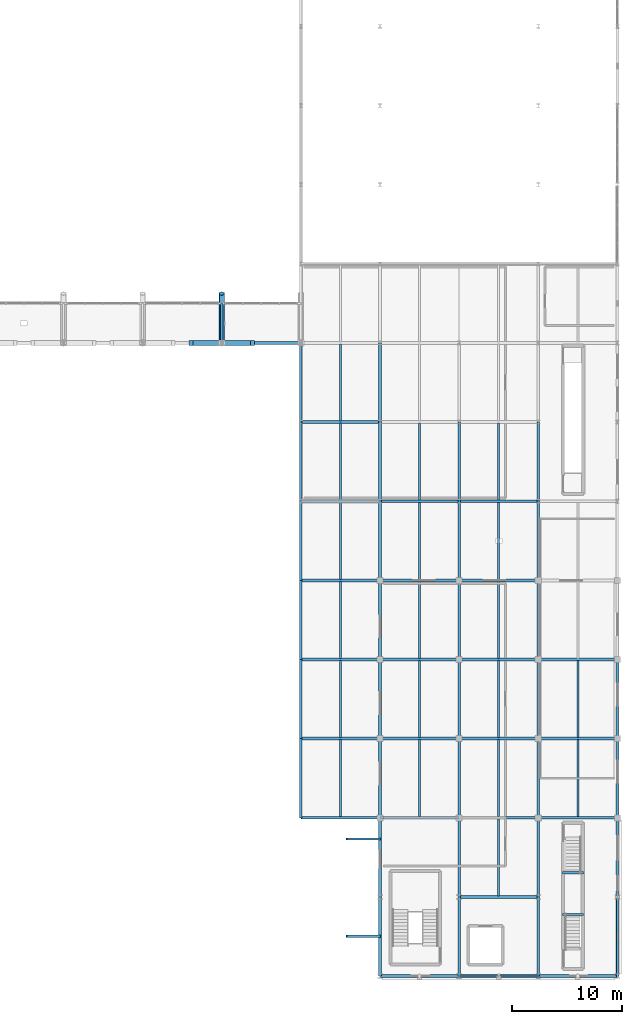
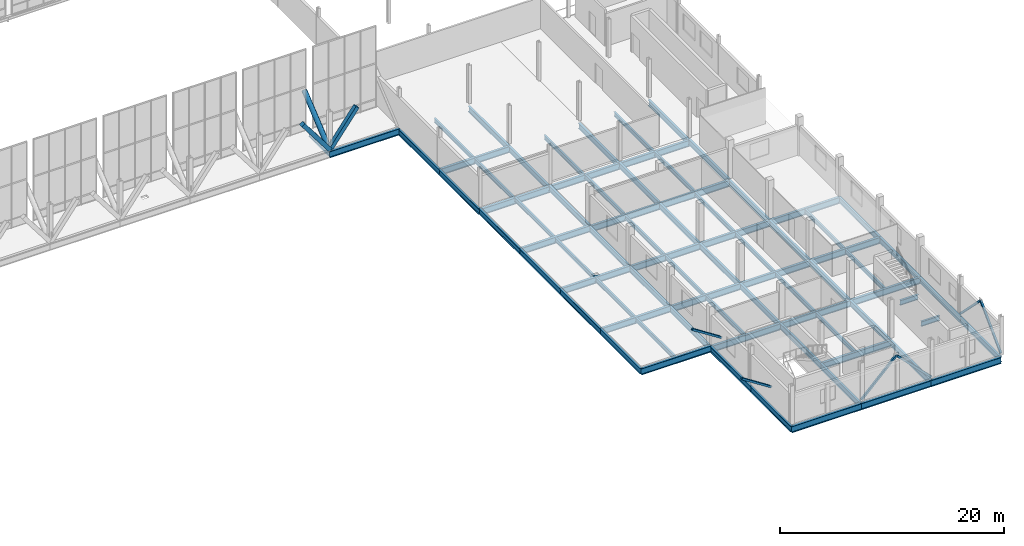
# One storey, part 52 of 102: 78 beams, 9 members.
"""IFC4 building model written with IfcOpenShell, lengths in metres."""

from ifc_helpers import new_model, si_unit, direction, frame, origin, origin_2d, place, context, subcontext, project, spatial, rectangle, hollow_rectangle, hollow_circle, i_section, extrude, material, material_profile, profile_set, type_object, element, save


model = new_model("IFC4")

# Units and contexts
model_context = context("Model", 3, precision=1e-05, world=origin(), true_north=direction((0.0, 1.0)))
body_context = subcontext(model_context, "Body", "Model", "MODEL_VIEW")
ifc_project = project(units=[si_unit("LENGTHUNIT", "METRE"), si_unit("AREAUNIT", "SQUARE_METRE"), si_unit("VOLUMEUNIT", "CUBIC_METRE"), si_unit("PLANEANGLEUNIT", "RADIAN"), si_unit("MASSUNIT", "GRAM", prefix="KILO")], contexts=[model_context])

# Site, building, storey
site_placement = place(None, origin())
site = spatial("IfcSite", under=ifc_project, at=site_placement, CompositionType="ELEMENT")
building_placement = place(site_placement, origin())
building = spatial("IfcBuilding", under=site, at=building_placement, Name="Yarey Park Central Fire Station", CompositionType="ELEMENT")
storey_placement = place(building_placement, frame((0.0, 0.0, 6.0)))
storey = spatial("IfcBuildingStorey", under=building, at=storey_placement, Name="L02", CompositionType="ELEMENT", Elevation=6.0)

# Beams
ifc_material_1 = material(Name="Steel ASTM A992 Gr. 50", Category="steel")
ifc_material_profile_1 = material_profile(ifc_material_1, i_section(OverallWidth=0.208984375, OverallDepth=0.532958984375, WebThickness=0.01025390625, FlangeThickness=0.015625, at=origin_2d()), Name="W530x92")
ifc_profile_set_1 = profile_set([ifc_material_profile_1], Name="Steel ASTM A992 Gr. 50")
beam_type_1 = type_object("IfcBeamType", Name="STR_BM_W530", PredefinedType="BEAM", material=ifc_profile_set_1)
beam_1_placement = place(storey_placement, frame((129.60009765625, 57.60009765625, -0.46142578125), z_axis=(0.0, 1.0, 0.0), x_axis=(-1.0, 0.0, 0.0)))
element("IfcBeam", 1, at=beam_1_placement, inside=storey, type_object=beam_type_1, Name="EAVE RIB S 10", PredefinedType="BEAM", context=body_context, shape_type="SweptSolid", body=[
    extrude(i_section(OverallWidth=0.208984375, OverallDepth=0.532958984375, WebThickness=0.01025390625, FlangeThickness=0.015625, at=origin_2d()), origin(), (0.0, 0.0, 1.0), 3.599853515625),
])
for number, where, z_axis, x_axis, name in (
    (2, (160.60009765625, 5.60009765625, 1.6484375), (1.0, 0.0, 0.0), (0.0, 1.0, 0.0), "BM_LND_C6_L02_S"),
    (3, (160.60009765625, 9.39990234375, 1.6484375), (1.0, 0.0, 0.0), (0.0, 1.0, 0.0), "BM_LND_C6_L02_N"),
):
    element("IfcBeam", number, at=place(storey_placement, frame(where, z_axis=z_axis, x_axis=x_axis)), inside=storey, type_object=beam_type_1, Name=name, PredefinedType="BEAM", context=body_context, shape_type="SweptSolid", body=[
        extrude(i_section(OverallWidth=0.208984375, OverallDepth=0.532958984375, WebThickness=0.01025390625, FlangeThickness=0.015625, at=origin_2d()), origin(), (0.0, 0.0, 1.0), 1.89990234375),
    ])
ifc_material_profile_2 = material_profile(ifc_material_1, i_section(OverallWidth=0.22900390625, OverallDepth=0.612060546875, WebThickness=0.011962890625, FlangeThickness=0.01953125, at=origin_2d()), Name="W610x125")
ifc_profile_set_2 = profile_set([ifc_material_profile_2], Name="Steel ASTM A992 Gr. 50")
beam_type_2 = type_object("IfcBeamType", Name="STR_BM_W610", PredefinedType="BEAM", material=ifc_profile_set_2)
beam_2_placement = place(storey_placement, frame((136.800048828125, 14.39990234375, -0.5009765625), z_axis=(0.0, 1.0, 0.0), x_axis=(-1.0, 0.0, 0.0)))
element("IfcBeam", 4, at=beam_2_placement, inside=storey, type_object=beam_type_2, Name="BMY L02 X1368 Y144", PredefinedType="BEAM", context=body_context, shape_type="SweptSolid", body=[
    extrude(i_section(OverallWidth=0.22900390625, OverallDepth=0.612060546875, WebThickness=0.011962890625, FlangeThickness=0.01953125, at=origin_2d()), origin(), (0.0, 0.0, 1.0), 7.2001953125),
])
for number, where, z_axis, x_axis, name in (
    (5, (136.800048828125, 21.60009765625, -0.5009765625), (0.0, 1.0, 0.0), (-1.0, 0.0, 0.0), "BMY L02 X1368 Y216"),
    (6, (136.800048828125, 28.800048828125, -0.5009765625), (0.0, 1.0, 0.0), (-1.0, 0.0, 0.0), "BMY L02 X1368 Y288"),
    (7, (136.800048828125, 36.0, -0.5009765625), (0.0, 1.0, 0.0), (-1.0, 0.0, 0.0), "BMY L02 X1368 Y360"),
    (8, (136.800048828125, 43.199951171875, -0.591064453125), (0.0, 1.0, 0.0), (-1.0, 0.0, 0.0), "BMY L02 X1368 Y432"),
):
    element("IfcBeam", number, at=place(storey_placement, frame(where, z_axis=z_axis, x_axis=x_axis)), inside=storey, type_object=beam_type_2, Name=name, PredefinedType="BEAM", context=body_context, shape_type="SweptSolid", body=[
        extrude(i_section(OverallWidth=0.22900390625, OverallDepth=0.612060546875, WebThickness=0.011962890625, FlangeThickness=0.01953125, at=origin_2d()), origin(), (0.0, 0.0, 1.0), 7.199951171875),
    ])
beam_3_placement = place(storey_placement, frame((136.800048828125, 50.39990234375, -0.591064453125), z_axis=(0.0, 1.0, 0.0), x_axis=(-1.0, 0.0, 0.0)))
element("IfcBeam", 9, at=beam_3_placement, inside=storey, type_object=beam_type_2, Name="BMY L02 X1368 Y504", PredefinedType="BEAM", context=body_context, shape_type="SweptSolid", body=[
    extrude(i_section(OverallWidth=0.22900390625, OverallDepth=0.612060546875, WebThickness=0.011962890625, FlangeThickness=0.01953125, at=origin_2d()), origin(), (0.0, 0.0, 1.0), 7.2001953125),
])
for number, where, z_axis, x_axis, name in (
    (10, (144.0, 0.0, -0.591064453125), (0.0, 1.0, 0.0), (-1.0, 0.0, 0.0), "BMY L02 X1440 Y0"),
    (11, (144.0, 7.199951171875, -0.591064453125), (0.0, 1.0, 0.0), (-1.0, 0.0, 0.0), "BMY L02 X1440 Y72"),
):
    element("IfcBeam", number, at=place(storey_placement, frame(where, z_axis=z_axis, x_axis=x_axis)), inside=storey, type_object=beam_type_2, Name=name, PredefinedType="BEAM", context=body_context, shape_type="SweptSolid", body=[
        extrude(i_section(OverallWidth=0.22900390625, OverallDepth=0.612060546875, WebThickness=0.011962890625, FlangeThickness=0.01953125, at=origin_2d()), origin(), (0.0, 0.0, 1.0), 7.199951171875),
    ])
beam_4_placement = place(storey_placement, frame((144.0, 14.39990234375, -0.591064453125), z_axis=(0.0, 1.0, 0.0), x_axis=(-1.0, 0.0, 0.0)))
element("IfcBeam", 12, at=beam_4_placement, inside=storey, type_object=beam_type_2, Name="BMY L02 X1440 Y144", PredefinedType="BEAM", context=body_context, shape_type="SweptSolid", body=[
    extrude(i_section(OverallWidth=0.22900390625, OverallDepth=0.612060546875, WebThickness=0.011962890625, FlangeThickness=0.01953125, at=origin_2d()), origin(), (0.0, 0.0, 1.0), 7.2001953125),
])
for number, where, z_axis, x_axis, name in (
    (13, (144.0, 21.60009765625, -0.591064453125), (0.0, 1.0, 0.0), (-1.0, 0.0, 0.0), "BMY L02 X1440 Y216"),
    (14, (144.0, 28.800048828125, -0.591064453125), (0.0, 1.0, 0.0), (-1.0, 0.0, 0.0), "BMY L02 X1440 Y288"),
    (15, (144.0, 36.0, -0.5009765625), (0.0, 1.0, 0.0), (-1.0, 0.0, 0.0), "BMY L02 X1440 Y360"),
    (16, (144.0, 43.199951171875, -0.591064453125), (0.0, 1.0, 0.0), (-1.0, 0.0, 0.0), "BMY L02 X1440 Y432"),
):
    element("IfcBeam", number, at=place(storey_placement, frame(where, z_axis=z_axis, x_axis=x_axis)), inside=storey, type_object=beam_type_2, Name=name, PredefinedType="BEAM", context=body_context, shape_type="SweptSolid", body=[
        extrude(i_section(OverallWidth=0.22900390625, OverallDepth=0.612060546875, WebThickness=0.011962890625, FlangeThickness=0.01953125, at=origin_2d()), origin(), (0.0, 0.0, 1.0), 7.199951171875),
    ])
beam_5_placement = place(storey_placement, frame((144.0, 50.39990234375, -0.591064453125), z_axis=(0.0, 1.0, 0.0), x_axis=(-1.0, 0.0, 0.0)))
element("IfcBeam", 17, at=beam_5_placement, inside=storey, type_object=beam_type_2, Name="BMY L02 X1440 Y504", PredefinedType="BEAM", context=body_context, shape_type="SweptSolid", body=[
    extrude(i_section(OverallWidth=0.22900390625, OverallDepth=0.612060546875, WebThickness=0.011962890625, FlangeThickness=0.01953125, at=origin_2d()), origin(), (0.0, 0.0, 1.0), 7.2001953125),
])
for number, where, z_axis, x_axis, name in (
    (18, (151.199951171875, 0.0, -0.591064453125), (0.0, 1.0, 0.0), (-1.0, 0.0, 0.0), "BMY L02 X1512 Y0"),
    (19, (151.199951171875, 7.199951171875, -0.591064453125), (0.0, 1.0, 0.0), (-1.0, 0.0, 0.0), "BMY L02 X1512 Y72"),
):
    element("IfcBeam", number, at=place(storey_placement, frame(where, z_axis=z_axis, x_axis=x_axis)), inside=storey, type_object=beam_type_2, Name=name, PredefinedType="BEAM", context=body_context, shape_type="SweptSolid", body=[
        extrude(i_section(OverallWidth=0.22900390625, OverallDepth=0.612060546875, WebThickness=0.011962890625, FlangeThickness=0.01953125, at=origin_2d()), origin(), (0.0, 0.0, 1.0), 7.199951171875),
    ])
beam_6_placement = place(storey_placement, frame((151.199951171875, 14.39990234375, -0.591064453125), z_axis=(0.0, 1.0, 0.0), x_axis=(-1.0, 0.0, 0.0)))
element("IfcBeam", 20, at=beam_6_placement, inside=storey, type_object=beam_type_2, Name="BMY L02 X1512 Y144", PredefinedType="BEAM", context=body_context, shape_type="SweptSolid", body=[
    extrude(i_section(OverallWidth=0.22900390625, OverallDepth=0.612060546875, WebThickness=0.011962890625, FlangeThickness=0.01953125, at=origin_2d()), origin(), (0.0, 0.0, 1.0), 7.2001953125),
])
for number, where, z_axis, x_axis, name in (
    (21, (151.199951171875, 21.60009765625, -0.591064453125), (0.0, 1.0, 0.0), (-1.0, 0.0, 0.0), "BMY L02 X1512 Y216"),
    (22, (151.199951171875, 28.800048828125, -0.591064453125), (0.0, 1.0, 0.0), (-1.0, 0.0, 0.0), "BMY L02 X1512 Y288"),
    (23, (151.199951171875, 36.0, -0.5009765625), (0.0, 1.0, 0.0), (-1.0, 0.0, 0.0), "BMY L02 X1512 Y360"),
    (24, (151.199951171875, 43.199951171875, -0.591064453125), (0.0, 1.0, 0.0), (-1.0, 0.0, 0.0), "BMY L02 X1512 Y432"),
    (25, (158.39990234375, 0.0, -0.591064453125), (0.0, 1.0, 0.0), (-1.0, 0.0, 0.0), "BMY L02 X1584 Y0"),
    (26, (158.39990234375, 7.199951171875, -0.591064453125), (0.0, 1.0, 0.0), (-1.0, 0.0, 0.0), "BMY L02 X1584 Y72"),
):
    element("IfcBeam", number, at=place(storey_placement, frame(where, z_axis=z_axis, x_axis=x_axis)), inside=storey, type_object=beam_type_2, Name=name, PredefinedType="BEAM", context=body_context, shape_type="SweptSolid", body=[
        extrude(i_section(OverallWidth=0.22900390625, OverallDepth=0.612060546875, WebThickness=0.011962890625, FlangeThickness=0.01953125, at=origin_2d()), origin(), (0.0, 0.0, 1.0), 7.199951171875),
    ])
beam_7_placement = place(storey_placement, frame((158.39990234375, 14.39990234375, -0.591064453125), z_axis=(0.0, 1.0, 0.0), x_axis=(-1.0, 0.0, 0.0)))
element("IfcBeam", 27, at=beam_7_placement, inside=storey, type_object=beam_type_2, Name="BMY L02 X1584 Y144", PredefinedType="BEAM", context=body_context, shape_type="SweptSolid", body=[
    extrude(i_section(OverallWidth=0.22900390625, OverallDepth=0.612060546875, WebThickness=0.011962890625, FlangeThickness=0.01953125, at=origin_2d()), origin(), (0.0, 0.0, 1.0), 7.2001953125),
])
for number, where, z_axis, x_axis, name in (
    (28, (158.39990234375, 21.60009765625, -0.591064453125), (0.0, 1.0, 0.0), (-1.0, 0.0, 0.0), "BMY L02 X1584 Y216"),
    (29, (158.39990234375, 28.800048828125, -0.591064453125), (0.0, 1.0, 0.0), (-1.0, 0.0, 0.0), "BMY L02 X1584 Y288"),
    (30, (158.39990234375, 36.0, -0.5009765625), (0.0, 1.0, 0.0), (-1.0, 0.0, 0.0), "BMY L02 X1584 Y360"),
    (31, (158.39990234375, 43.199951171875, -0.591064453125), (0.0, 1.0, 0.0), (-1.0, 0.0, 0.0), "BMY L02 X1584 Y432"),
    (32, (165.60009765625, 0.0, -0.591064453125), (0.0, 1.0, 0.0), (-1.0, 0.0, 0.0), "BMY L02 X1656 Y0"),
    (33, (165.60009765625, 7.199951171875, -0.591064453125), (0.0, 1.0, 0.0), (-1.0, 0.0, 0.0), "BMY L02 X1656 Y72"),
):
    element("IfcBeam", number, at=place(storey_placement, frame(where, z_axis=z_axis, x_axis=x_axis)), inside=storey, type_object=beam_type_2, Name=name, PredefinedType="BEAM", context=body_context, shape_type="SweptSolid", body=[
        extrude(i_section(OverallWidth=0.22900390625, OverallDepth=0.612060546875, WebThickness=0.011962890625, FlangeThickness=0.01953125, at=origin_2d()), origin(), (0.0, 0.0, 1.0), 7.199951171875),
    ])
beam_8_placement = place(storey_placement, frame((165.60009765625, 14.39990234375, -0.591064453125), z_axis=(0.0, 1.0, 0.0), x_axis=(-1.0, 0.0, 0.0)))
element("IfcBeam", 34, at=beam_8_placement, inside=storey, type_object=beam_type_2, Name="BMY L02 X1656 Y144", PredefinedType="BEAM", context=body_context, shape_type="SweptSolid", body=[
    extrude(i_section(OverallWidth=0.22900390625, OverallDepth=0.612060546875, WebThickness=0.011962890625, FlangeThickness=0.01953125, at=origin_2d()), origin(), (0.0, 0.0, 1.0), 7.2001953125),
])
beam_9_placement = place(storey_placement, frame((165.60009765625, 21.60009765625, -0.591064453125), z_axis=(0.0, 1.0, 0.0), x_axis=(-1.0, 0.0, 0.0)))
element("IfcBeam", 35, at=beam_9_placement, inside=storey, type_object=beam_type_2, Name="BMY L02 X1656 Y216", PredefinedType="BEAM", context=body_context, shape_type="SweptSolid", body=[
    extrude(i_section(OverallWidth=0.22900390625, OverallDepth=0.612060546875, WebThickness=0.011962890625, FlangeThickness=0.01953125, at=origin_2d()), origin(), (0.0, 0.0, 1.0), 7.199951171875),
])
ifc_material_profile_3 = material_profile(ifc_material_1, i_section(OverallWidth=0.256103515625, OverallDepth=0.693115234375, WebThickness=0.014404296875, FlangeThickness=0.023681640625, at=origin_2d()), Name="W690x170")
ifc_profile_set_3 = profile_set([ifc_material_profile_3], Name="Steel ASTM A992 Gr. 50")
beam_type_3 = type_object("IfcBeamType", Name="STR_BM_W690", PredefinedType="BEAM", material=ifc_profile_set_3)
for number, where, z_axis, x_axis, name in (
    (36, (144.0, 0.0, -0.631591796875), (1.0, 0.0, 0.0), (0.0, 1.0, 0.0), "BMX L02 Y0 X1440"),
    (37, (151.199951171875, 0.0, -0.631591796875), (1.0, 0.0, 0.0), (0.0, 1.0, 0.0), "BMX L02 Y0 X1512"),
):
    element("IfcBeam", number, at=place(storey_placement, frame(where, z_axis=z_axis, x_axis=x_axis)), inside=storey, type_object=beam_type_3, Name=name, PredefinedType="BEAM", context=body_context, shape_type="SweptSolid", body=[
        extrude(i_section(OverallWidth=0.256103515625, OverallDepth=0.693115234375, WebThickness=0.014404296875, FlangeThickness=0.023681640625, at=origin_2d()), origin(), (0.0, 0.0, 1.0), 7.199951171875),
    ])
beam_10_placement = place(storey_placement, frame((158.39990234375, 0.0, -0.631591796875), z_axis=(1.0, 0.0, 0.0), x_axis=(0.0, 1.0, 0.0)))
element("IfcBeam", 38, at=beam_10_placement, inside=storey, type_object=beam_type_3, Name="BMX L02 Y0 X1584", PredefinedType="BEAM", context=body_context, shape_type="SweptSolid", body=[
    extrude(i_section(OverallWidth=0.256103515625, OverallDepth=0.693115234375, WebThickness=0.014404296875, FlangeThickness=0.023681640625, at=origin_2d()), origin(), (0.0, 0.0, 1.0), 7.2001953125),
])
for number, where, z_axis, x_axis, name in (
    (39, (151.199951171875, 7.199951171875, -0.631591796875), (1.0, 0.0, 0.0), (0.0, 1.0, 0.0), "BMX L02 Y72 X1512"),
    (40, (136.800048828125, 14.39990234375, -0.54150390625), (1.0, 0.0, 0.0), (0.0, 1.0, 0.0), "BMX L02 Y144 X1368"),
    (41, (144.0, 14.39990234375, -0.631591796875), (1.0, 0.0, 0.0), (0.0, 1.0, 0.0), "BMX L02 Y144 X1440"),
    (42, (151.199951171875, 14.39990234375, -0.631591796875), (1.0, 0.0, 0.0), (0.0, 1.0, 0.0), "BMX L02 Y144 X1512"),
):
    element("IfcBeam", number, at=place(storey_placement, frame(where, z_axis=z_axis, x_axis=x_axis)), inside=storey, type_object=beam_type_3, Name=name, PredefinedType="BEAM", context=body_context, shape_type="SweptSolid", body=[
        extrude(i_section(OverallWidth=0.256103515625, OverallDepth=0.693115234375, WebThickness=0.014404296875, FlangeThickness=0.023681640625, at=origin_2d()), origin(), (0.0, 0.0, 1.0), 7.199951171875),
    ])
beam_11_placement = place(storey_placement, frame((158.39990234375, 14.39990234375, -0.631591796875), z_axis=(1.0, 0.0, 0.0), x_axis=(0.0, 1.0, 0.0)))
element("IfcBeam", 43, at=beam_11_placement, inside=storey, type_object=beam_type_3, Name="BMX L02 Y144 X1584", PredefinedType="BEAM", context=body_context, shape_type="SweptSolid", body=[
    extrude(i_section(OverallWidth=0.256103515625, OverallDepth=0.693115234375, WebThickness=0.014404296875, FlangeThickness=0.023681640625, at=origin_2d()), origin(), (0.0, 0.0, 1.0), 7.2001953125),
])
for number, where, z_axis, x_axis, name in (
    (44, (136.800048828125, 21.60009765625, -0.54150390625), (1.0, 0.0, 0.0), (0.0, 1.0, 0.0), "BMX L02 Y216 X1368"),
    (45, (144.0, 21.60009765625, -0.631591796875), (1.0, 0.0, 0.0), (0.0, 1.0, 0.0), "BMX L02 Y216 X1440"),
    (46, (151.199951171875, 21.60009765625, -0.631591796875), (1.0, 0.0, 0.0), (0.0, 1.0, 0.0), "BMX L02 Y216 X1512"),
):
    element("IfcBeam", number, at=place(storey_placement, frame(where, z_axis=z_axis, x_axis=x_axis)), inside=storey, type_object=beam_type_3, Name=name, PredefinedType="BEAM", context=body_context, shape_type="SweptSolid", body=[
        extrude(i_section(OverallWidth=0.256103515625, OverallDepth=0.693115234375, WebThickness=0.014404296875, FlangeThickness=0.023681640625, at=origin_2d()), origin(), (0.0, 0.0, 1.0), 7.199951171875),
    ])
beam_12_placement = place(storey_placement, frame((158.39990234375, 21.60009765625, -0.631591796875), z_axis=(1.0, 0.0, 0.0), x_axis=(0.0, 1.0, 0.0)))
element("IfcBeam", 47, at=beam_12_placement, inside=storey, type_object=beam_type_3, Name="BMX L02 Y216 X1584", PredefinedType="BEAM", context=body_context, shape_type="SweptSolid", body=[
    extrude(i_section(OverallWidth=0.256103515625, OverallDepth=0.693115234375, WebThickness=0.014404296875, FlangeThickness=0.023681640625, at=origin_2d()), origin(), (0.0, 0.0, 1.0), 7.2001953125),
])
for number, where, z_axis, x_axis, name in (
    (48, (136.800048828125, 28.800048828125, -0.54150390625), (1.0, 0.0, 0.0), (0.0, 1.0, 0.0), "BMX L02 Y288 X1368"),
    (49, (144.0, 28.800048828125, -0.631591796875), (1.0, 0.0, 0.0), (0.0, 1.0, 0.0), "BMX L02 Y288 X1440"),
    (50, (151.199951171875, 28.800048828125, -0.631591796875), (1.0, 0.0, 0.0), (0.0, 1.0, 0.0), "BMX L02 Y288 X1512"),
):
    element("IfcBeam", number, at=place(storey_placement, frame(where, z_axis=z_axis, x_axis=x_axis)), inside=storey, type_object=beam_type_3, Name=name, PredefinedType="BEAM", context=body_context, shape_type="SweptSolid", body=[
        extrude(i_section(OverallWidth=0.256103515625, OverallDepth=0.693115234375, WebThickness=0.014404296875, FlangeThickness=0.023681640625, at=origin_2d()), origin(), (0.0, 0.0, 1.0), 7.199951171875),
    ])
beam_13_placement = place(storey_placement, frame((158.39990234375, 28.800048828125, -0.631591796875), z_axis=(1.0, 0.0, 0.0), x_axis=(0.0, 1.0, 0.0)))
element("IfcBeam", 51, at=beam_13_placement, inside=storey, type_object=beam_type_3, Name="BMX L02 Y288 X1584", PredefinedType="BEAM", context=body_context, shape_type="SweptSolid", body=[
    extrude(i_section(OverallWidth=0.256103515625, OverallDepth=0.693115234375, WebThickness=0.014404296875, FlangeThickness=0.023681640625, at=origin_2d()), origin(), (0.0, 0.0, 1.0), 7.2001953125),
])
for number, where, z_axis, x_axis, name in (
    (52, (136.800048828125, 36.0, -0.54150390625), (1.0, 0.0, 0.0), (0.0, 1.0, 0.0), "BMX L02 Y360 X1368"),
    (53, (144.0, 36.0, -0.631591796875), (1.0, 0.0, 0.0), (0.0, 1.0, 0.0), "BMX L02 Y360 X1440"),
    (54, (151.199951171875, 36.0, -0.631591796875), (1.0, 0.0, 0.0), (0.0, 1.0, 0.0), "BMX L02 Y360 X1512"),
    (55, (136.800048828125, 43.199951171875, -0.631591796875), (1.0, 0.0, 0.0), (0.0, 1.0, 0.0), "BMX L02 Y432 X1368"),
    (56, (144.0, 43.199951171875, -0.631591796875), (1.0, 0.0, 0.0), (0.0, 1.0, 0.0), "BMX L02 Y432 X1440"),
    (57, (151.199951171875, 43.199951171875, -0.631591796875), (1.0, 0.0, 0.0), (0.0, 1.0, 0.0), "BMX L02 Y432 X1512"),
    (58, (136.800048828125, 50.39990234375, -0.631591796875), (1.0, 0.0, 0.0), (0.0, 1.0, 0.0), "BMX L02 Y504 X1368"),
    (59, (129.60009765625, 57.60009765625, -0.54150390625), (1.0, 0.0, 0.0), (0.0, 1.0, 0.0), "BMX L02 Y576 X1296"),
):
    element("IfcBeam", number, at=place(storey_placement, frame(where, z_axis=z_axis, x_axis=x_axis)), inside=storey, type_object=beam_type_3, Name=name, PredefinedType="BEAM", context=body_context, shape_type="SweptSolid", body=[
        extrude(i_section(OverallWidth=0.256103515625, OverallDepth=0.693115234375, WebThickness=0.014404296875, FlangeThickness=0.023681640625, at=origin_2d()), origin(), (0.0, 0.0, 1.0), 7.199951171875),
    ])

# Members
ifc_material_2 = material(Name="Steel ASTM A500 Gr. C", Category="steel")
ifc_material_profile_4 = material_profile(ifc_material_2, hollow_rectangle(XDim=0.199951171875, YDim=0.199951171875, WallThickness=0.010009765625, at=origin_2d()), Name="HSS 200x200x10")
ifc_profile_set_4 = profile_set([ifc_material_profile_4], Name="Steel ASTM A500 Gr. C")
member_type_1 = type_object("IfcMemberType", Name="STR_CBF_HSS200", PredefinedType="BRACE", material=ifc_profile_set_4)
for number, where, z_axis, x_axis, name in (
    (60, (144.0, 3.6201171875, 1.800048828125), (-0.840664304716, 0.0, 0.541556577632), (0.0, -1.0, 0.0), "BALC_KNEE_L03_Y36"),
    (61, (144.0, 12.47998046875, 1.800048828125), (-0.840664304716, 0.0, 0.541556577632), (0.0, -1.0, 0.0), "BALC_KNEE_L03_Y124"),
):
    element("IfcMember", number, at=place(storey_placement, frame(where, z_axis=z_axis, x_axis=x_axis)), inside=storey, type_object=member_type_1, Name=name, PredefinedType="BRACE", context=body_context, shape_type="SweptSolid", body=[
        extrude(hollow_rectangle(XDim=0.199951171875, YDim=0.199951171875, WallThickness=0.010009765625, at=origin_2d()), origin(), (0.0, 0.0, 1.0), 3.628173828125),
    ])
for number, where, z_axis, x_axis, name in (
    (62, (165.60009765625, 0.0, 0.050048828125), (0.0, 0.707130757816, 0.707082803744), (-1.0, 0.0, 0.0), "CBF_DT_E1_L02"),
    (63, (165.60009765625, 7.199951171875, 0.050048828125), (0.0, -0.707106781187, 0.707106781187), (1.0, 0.0, 0.0), "CBF_DT_E2_L02"),
    (64, (151.199951171875, 0.0, 0.050048828125), (0.707130757816, 0.0, 0.707082803744), (0.0, 1.0, 0.0), "CBF_DT_S1_L02"),
    (65, (158.39990234375, 0.0, 0.050048828125), (-0.707106781187, 0.0, 0.707106781187), (0.0, -1.0, 0.0), "CBF_DT_S2_L02"),
):
    element("IfcMember", number, at=place(storey_placement, frame(where, z_axis=z_axis, x_axis=x_axis)), inside=storey, type_object=member_type_1, Name=name, PredefinedType="BRACE", context=body_context, shape_type="SweptSolid", body=[
        extrude(hollow_rectangle(XDim=0.199951171875, YDim=0.199951171875, WallThickness=0.010009765625, at=origin_2d()), origin(), (0.0, 0.0, 1.0), 5.091064453125),
    ])
ifc_material_profile_5 = material_profile(ifc_material_2, hollow_circle(Radius=0.25390625, WallThickness=0.02001953125, at=origin_2d()), Name="CHS 508x20")
ifc_profile_set_5 = profile_set([ifc_material_profile_5], Name="Steel ASTM A500 Gr. C")
member_type_2 = type_object("IfcMemberType", Name="STR_CHORD_CHS508", PredefinedType="CHORD", material=ifc_profile_set_5)
member_1_placement = place(storey_placement, frame((129.60009765625, 57.60009765625, 0.0), z_axis=(0.0, 0.770847459396, 0.637019775473), x_axis=(-1.0, 0.0, 0.0)))
element("IfcMember", 66, at=member_1_placement, inside=storey, type_object=member_type_2, Name="Arched Roof Truss ART_11 Bottom Chord 1", PredefinedType="CHORD", context=body_context, shape_type="SweptSolid", body=[
    extrude(hollow_circle(Radius=0.25390625, WallThickness=0.02001953125, at=origin_2d()), origin(), (0.0, 0.0, 1.0), 5.837646484375),
])

# Beams
ifc_material_profile_6 = material_profile(ifc_material_1, i_section(OverallWidth=0.18994140625, OverallDepth=0.45703125, WebThickness=0.009033203125, FlangeThickness=0.014404296875, at=origin_2d()), Name="W460x74")
ifc_profile_set_6 = profile_set([ifc_material_profile_6], Name="Steel ASTM A992 Gr. 50")
beam_type_4 = type_object("IfcBeamType", Name="STR_JST_W460", PredefinedType="JOIST", material=ifc_profile_set_6)
beam_14_placement = place(storey_placement, frame((140.39990234375, 14.4951171875, -0.423583984375), z_axis=(0.0, 1.0, 0.0), x_axis=(-1.0, 0.0, 0.0)))
element("IfcBeam", 67, at=beam_14_placement, inside=storey, type_object=beam_type_4, Name="JST L02 X1404 Y144", PredefinedType="JOIST", context=body_context, shape_type="SweptSolid", body=[
    extrude(i_section(OverallWidth=0.18994140625, OverallDepth=0.45703125, WebThickness=0.009033203125, FlangeThickness=0.014404296875, at=origin_2d()), origin(), (0.0, 0.0, 1.0), 7.009765625),
])
for number, where, z_axis, x_axis, name in (
    (68, (140.39990234375, 21.695068359375, -0.423583984375), (0.0, 1.0, 0.0), (-1.0, 0.0, 0.0), "JST L02 X1404 Y216"),
    (69, (140.39990234375, 28.89501953125, -0.423583984375), (0.0, 1.0, 0.0), (-1.0, 0.0, 0.0), "JST L02 X1404 Y288"),
    (70, (140.39990234375, 36.094970703125, -0.423583984375), (0.0, 1.0, 0.0), (-1.0, 0.0, 0.0), "JST L02 X1404 Y360"),
    (71, (140.39990234375, 43.294921875, -0.513427734375), (0.0, 1.0, 0.0), (-1.0, 0.0, 0.0), "JST L02 X1404 Y432"),
):
    element("IfcBeam", number, at=place(storey_placement, frame(where, z_axis=z_axis, x_axis=x_axis)), inside=storey, type_object=beam_type_4, Name=name, PredefinedType="JOIST", context=body_context, shape_type="SweptSolid", body=[
        extrude(i_section(OverallWidth=0.18994140625, OverallDepth=0.45703125, WebThickness=0.009033203125, FlangeThickness=0.014404296875, at=origin_2d()), origin(), (0.0, 0.0, 1.0), 7.010009765625),
    ])
for number, where, z_axis, x_axis, name in (
    (72, (140.39990234375, 50.4951171875, -0.513427734375), (0.0, 1.0, 0.0), (-1.0, 0.0, 0.0), "JST L02 X1404 Y504"),
    (73, (147.60009765625, 14.4951171875, -0.513427734375), (0.0, 1.0, 0.0), (-1.0, 0.0, 0.0), "JST L02 X1476 Y144"),
):
    element("IfcBeam", number, at=place(storey_placement, frame(where, z_axis=z_axis, x_axis=x_axis)), inside=storey, type_object=beam_type_4, Name=name, PredefinedType="JOIST", context=body_context, shape_type="SweptSolid", body=[
        extrude(i_section(OverallWidth=0.18994140625, OverallDepth=0.45703125, WebThickness=0.009033203125, FlangeThickness=0.014404296875, at=origin_2d()), origin(), (0.0, 0.0, 1.0), 7.009765625),
    ])
for number, where, z_axis, x_axis, name in (
    (74, (147.60009765625, 21.695068359375, -0.513427734375), (0.0, 1.0, 0.0), (-1.0, 0.0, 0.0), "JST L02 X1476 Y216"),
    (75, (147.60009765625, 28.89501953125, -0.513427734375), (0.0, 1.0, 0.0), (-1.0, 0.0, 0.0), "JST L02 X1476 Y288"),
    (76, (147.60009765625, 36.094970703125, -0.423583984375), (0.0, 1.0, 0.0), (-1.0, 0.0, 0.0), "JST L02 X1476 Y360"),
    (77, (147.60009765625, 43.294921875, -0.513427734375), (0.0, 1.0, 0.0), (-1.0, 0.0, 0.0), "JST L02 X1476 Y432"),
    (78, (154.800048828125, 7.294921875, -0.513427734375), (0.0, 1.0, 0.0), (-1.0, 0.0, 0.0), "JST L02 X1548 Y72"),
):
    element("IfcBeam", number, at=place(storey_placement, frame(where, z_axis=z_axis, x_axis=x_axis)), inside=storey, type_object=beam_type_4, Name=name, PredefinedType="JOIST", context=body_context, shape_type="SweptSolid", body=[
        extrude(i_section(OverallWidth=0.18994140625, OverallDepth=0.45703125, WebThickness=0.009033203125, FlangeThickness=0.014404296875, at=origin_2d()), origin(), (0.0, 0.0, 1.0), 7.010009765625),
    ])
beam_15_placement = place(storey_placement, frame((154.800048828125, 14.4951171875, -0.513427734375), z_axis=(0.0, 1.0, 0.0), x_axis=(-1.0, 0.0, 0.0)))
element("IfcBeam", 79, at=beam_15_placement, inside=storey, type_object=beam_type_4, Name="JST L02 X1548 Y144", PredefinedType="JOIST", context=body_context, shape_type="SweptSolid", body=[
    extrude(i_section(OverallWidth=0.18994140625, OverallDepth=0.45703125, WebThickness=0.009033203125, FlangeThickness=0.014404296875, at=origin_2d()), origin(), (0.0, 0.0, 1.0), 7.009765625),
])
for number, where, z_axis, x_axis, name in (
    (80, (154.800048828125, 21.695068359375, -0.513427734375), (0.0, 1.0, 0.0), (-1.0, 0.0, 0.0), "JST L02 X1548 Y216"),
    (81, (154.800048828125, 28.89501953125, -0.513427734375), (0.0, 1.0, 0.0), (-1.0, 0.0, 0.0), "JST L02 X1548 Y288"),
    (82, (154.800048828125, 36.094970703125, -0.423583984375), (0.0, 1.0, 0.0), (-1.0, 0.0, 0.0), "JST L02 X1548 Y360"),
    (83, (154.800048828125, 43.294921875, -0.513427734375), (0.0, 1.0, 0.0), (-1.0, 0.0, 0.0), "JST L02 X1548 Y432"),
):
    element("IfcBeam", number, at=place(storey_placement, frame(where, z_axis=z_axis, x_axis=x_axis)), inside=storey, type_object=beam_type_4, Name=name, PredefinedType="JOIST", context=body_context, shape_type="SweptSolid", body=[
        extrude(i_section(OverallWidth=0.18994140625, OverallDepth=0.45703125, WebThickness=0.009033203125, FlangeThickness=0.014404296875, at=origin_2d()), origin(), (0.0, 0.0, 1.0), 7.010009765625),
    ])
beam_16_placement = place(storey_placement, frame((162.0, 14.4951171875, -0.513427734375), z_axis=(0.0, 1.0, 0.0), x_axis=(-1.0, 0.0, 0.0)))
element("IfcBeam", 84, at=beam_16_placement, inside=storey, type_object=beam_type_4, Name="JST L02 X1620 Y144", PredefinedType="JOIST", context=body_context, shape_type="SweptSolid", body=[
    extrude(i_section(OverallWidth=0.18994140625, OverallDepth=0.45703125, WebThickness=0.009033203125, FlangeThickness=0.014404296875, at=origin_2d()), origin(), (0.0, 0.0, 1.0), 7.009765625),
])
beam_17_placement = place(storey_placement, frame((162.0, 21.695068359375, -0.513427734375), z_axis=(0.0, 1.0, 0.0), x_axis=(-1.0, 0.0, 0.0)))
element("IfcBeam", 85, at=beam_17_placement, inside=storey, type_object=beam_type_4, Name="JST L02 X1620 Y216", PredefinedType="JOIST", context=body_context, shape_type="SweptSolid", body=[
    extrude(i_section(OverallWidth=0.18994140625, OverallDepth=0.45703125, WebThickness=0.009033203125, FlangeThickness=0.014404296875, at=origin_2d()), origin(), (0.0, 0.0, 1.0), 7.010009765625),
])

# Members
ifc_material_3 = material(Name="Glulam GL28h", Category="wood")
ifc_material_profile_7 = material_profile(ifc_material_3, rectangle(XDim=0.419921875, YDim=0.419921875, at=origin_2d()), Name="GL 420x420")
ifc_profile_set_7 = profile_set([ifc_material_profile_7], Name="Glulam GL28h")
member_type_3 = type_object("IfcMemberType", Name="STR_STRUT_GL420", PredefinedType="STRUT", material=ifc_profile_set_7)
member_2_placement = place(storey_placement, frame((129.60009765625, 57.60009765625, 0.02001953125), z_axis=(0.603420967868, 0.0, 0.797422808514), x_axis=(0.0, 1.0, 0.0)))
element("IfcMember", 86, at=member_2_placement, inside=storey, type_object=member_type_3, Name="Raked Glulam Strut RGS-057", PredefinedType="STRUT", context=body_context, shape_type="SweptSolid", body=[
    extrude(rectangle(XDim=0.419921875, YDim=0.419921875, at=origin_2d()), origin(), (0.0, 0.0, 1.0), 4.639892578125),
])
member_3_placement = place(storey_placement, frame((129.60009765625, 57.60009765625, 0.02001953125), z_axis=(-0.603454425048, 0.0, 0.797397489895), x_axis=(0.0, -1.0, 0.0)))
element("IfcMember", 87, at=member_3_placement, inside=storey, type_object=member_type_3, Name="Raked Glulam Strut RGS-058", PredefinedType="STRUT", context=body_context, shape_type="SweptSolid", body=[
    extrude(rectangle(XDim=0.419921875, YDim=0.419921875, at=origin_2d()), origin(), (0.0, 0.0, 1.0), 4.64013671875),
])

save(model, "model.ifc")
